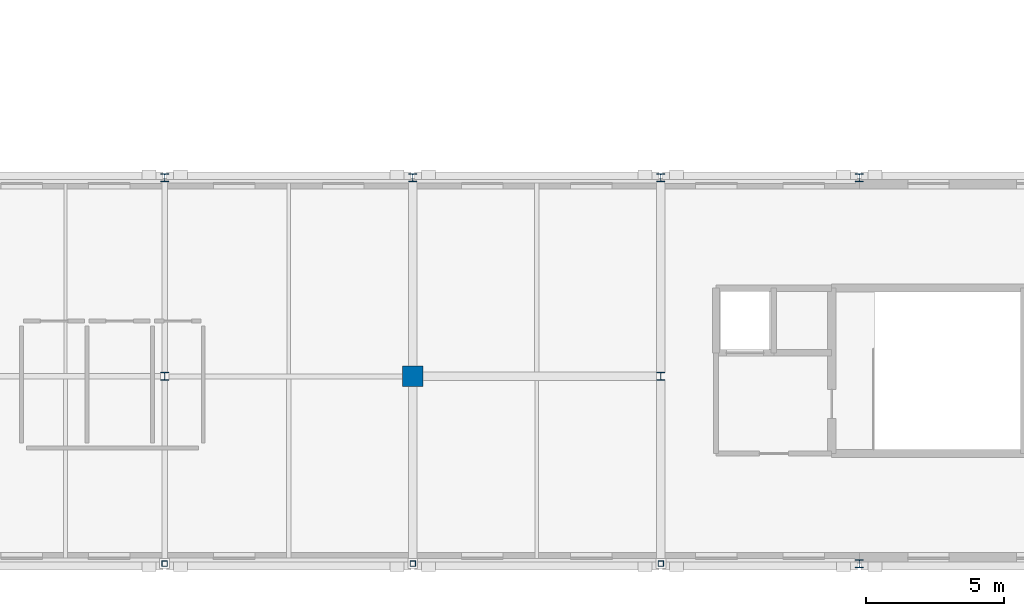
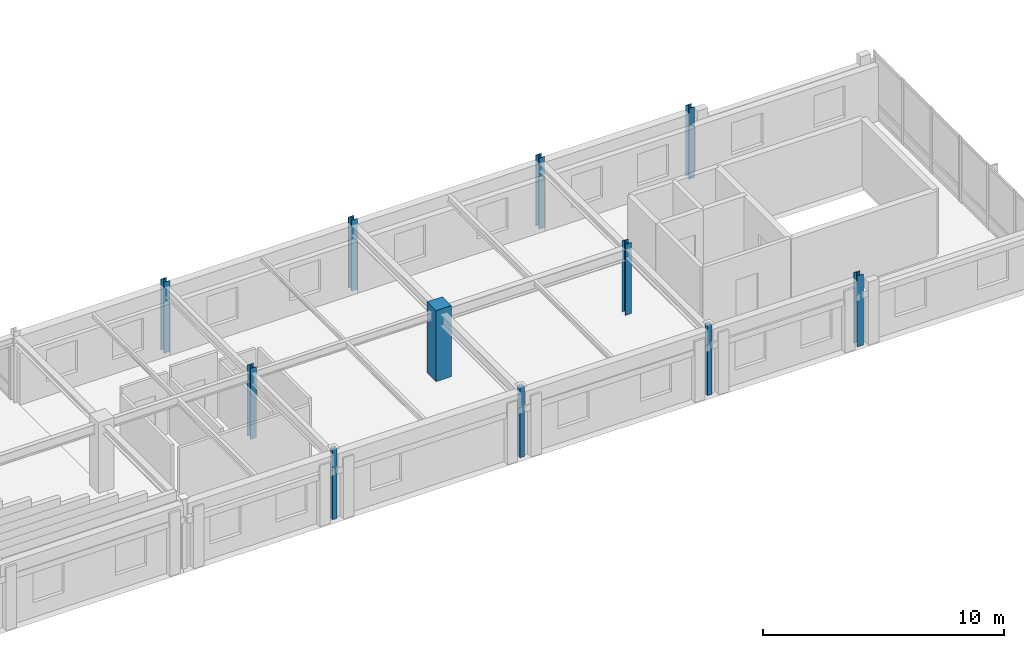
# One storey, part 3 of 74: 11 columns.
"""IFC4 building model written with IfcOpenShell, lengths in metres."""

from ifc_helpers import new_model, si_unit, direction, frame, origin, origin_2d, place, context, subcontext, project, spatial, rectangle, hollow_rectangle, i_section, extrude, material, material_profile, profile_set, type_object, element, save


model = new_model("IFC4")

# Units and contexts
model_context = context("Model", 3, precision=1e-05, world=origin(), true_north=direction((0.0, 1.0)))
body_context = subcontext(model_context, "Body", "Model", "MODEL_VIEW")
ifc_project = project(units=[si_unit("LENGTHUNIT", "METRE"), si_unit("AREAUNIT", "SQUARE_METRE"), si_unit("VOLUMEUNIT", "CUBIC_METRE"), si_unit("PLANEANGLEUNIT", "RADIAN"), si_unit("MASSUNIT", "GRAM", prefix="KILO")], contexts=[model_context])

# Site, building, storey
site_placement = place(None, origin())
site = spatial("IfcSite", under=ifc_project, at=site_placement, CompositionType="ELEMENT")
building_placement = place(site_placement, origin())
building = spatial("IfcBuilding", under=site, at=building_placement, Name="Clarverna Civic Hall", CompositionType="ELEMENT")
storey_placement = place(building_placement, frame((0.0, 0.0, 13.199951171875)))
storey = spatial("IfcBuildingStorey", under=building, at=storey_placement, Name="L03", CompositionType="ELEMENT", Elevation=13.199951171875)

# Columns
ifc_material_1 = material(Name="Concrete C40/50", Category="concrete")
ifc_material_profile_1 = material_profile(ifc_material_1, rectangle(XDim=0.75, YDim=0.75, at=origin_2d()), Name="RC 750x750")
ifc_profile_set_1 = profile_set([ifc_material_profile_1], Name="Concrete C40/50")
column_type_1 = type_object("IfcColumnType", Name="C-RC5", PredefinedType="COLUMN", material=ifc_profile_set_1)
column_placement = place(storey_placement, frame((41.39990234375, 6.800048828125, 0.0), z_axis=(0.0, 0.0, 1.0), x_axis=(1.0, 0.0, 0.0)))
element("IfcColumn", 1, at=column_placement, inside=storey, type_object=column_type_1, Name="C-RC5-026", PredefinedType="COLUMN", context=body_context, shape_type="SweptSolid", body=[
    extrude(rectangle(XDim=0.75, YDim=0.75, at=origin_2d()), origin(), (0.0, 0.0, 1.0), 3.60009765625),
])
ifc_material_2 = material(Name="Steel S355", Category="steel")
ifc_material_profile_2 = material_profile(ifc_material_2, hollow_rectangle(XDim=0.199951171875, YDim=0.199951171875, WallThickness=0.010009765625, at=origin_2d()), Name="RHS 200x200x10.0")
ifc_profile_set_2 = profile_set([ifc_material_profile_2], Name="Steel S355")
column_type_2 = type_object("IfcColumnType", Name="C-ST18", PredefinedType="COLUMN", material=ifc_profile_set_2)
for number, where, z_axis, x_axis, name in (
    (2, (32.39990234375, 0.0, 0.0), (0.0, 0.0, 1.0), (1.0, 0.0, 0.0), "C-ST18-007"),
    (3, (41.39990234375, 0.0, 0.0), (0.0, 0.0, 1.0), (1.0, 0.0, 0.0), "C-ST18-008"),
    (4, (50.39990234375, 0.0, 0.0), (0.0, 0.0, 1.0), (1.0, 0.0, 0.0), "C-ST18-009"),
):
    element("IfcColumn", number, at=place(storey_placement, frame(where, z_axis=z_axis, x_axis=x_axis)), inside=storey, type_object=column_type_2, Name=name, PredefinedType="COLUMN", context=body_context, shape_type="SweptSolid", body=[
        extrude(hollow_rectangle(XDim=0.199951171875, YDim=0.199951171875, WallThickness=0.010009765625, at=origin_2d()), origin(), (0.0, 0.0, 1.0), 3.60009765625),
    ])
ifc_material_profile_3 = material_profile(ifc_material_2, i_section(OverallWidth=0.300048828125, OverallDepth=0.300048828125, WebThickness=0.010986328125, FlangeThickness=0.01904296875, FilletRadius=0.027099609375, at=origin_2d()), Name="HEB 300")
ifc_profile_set_3 = profile_set([ifc_material_profile_3], Name="Steel S355")
column_type_3 = type_object("IfcColumnType", Name="C-ST7", PredefinedType="COLUMN", material=ifc_profile_set_3)
for number, where, z_axis, x_axis, name in (
    (5, (32.39990234375, 6.800048828125, 0.0), (0.0, 0.0, 1.0), (1.0, 0.0, 0.0), "C-ST7-006"),
    (6, (50.39990234375, 6.800048828125, 0.0), (0.0, 0.0, 1.0), (1.0, 0.0, 0.0), "C-ST7-007"),
    (7, (57.60009765625, 0.0, 0.0), (0.0, 0.0, 1.0), (1.0, 0.0, 0.0), "C-ST7-008"),
):
    element("IfcColumn", number, at=place(storey_placement, frame(where, z_axis=z_axis, x_axis=x_axis)), inside=storey, type_object=column_type_3, Name=name, PredefinedType="COLUMN", context=body_context, shape_type="SweptSolid", body=[
        extrude(i_section(OverallWidth=0.300048828125, OverallDepth=0.300048828125, WebThickness=0.010986328125, FlangeThickness=0.01904296875, FilletRadius=0.027099609375, at=origin_2d()), origin(), (0.0, 0.0, 1.0), 3.60009765625),
    ])
ifc_material_profile_4 = material_profile(ifc_material_2, i_section(OverallWidth=0.280029296875, OverallDepth=0.280029296875, WebThickness=0.010498046875, FlangeThickness=0.01806640625, FilletRadius=0.02392578125, at=origin_2d()), Name="HEB 280")
ifc_profile_set_4 = profile_set([ifc_material_profile_4], Name="Steel S355")
column_type_4 = type_object("IfcColumnType", Name="C-ST8", PredefinedType="COLUMN", material=ifc_profile_set_4)
for number, where, z_axis, x_axis, name in (
    (8, (32.39990234375, 14.0, 0.0), (0.0, 0.0, 1.0), (1.0, 0.0, 0.0), "C-ST8-005"),
    (9, (41.39990234375, 14.0, 0.0), (0.0, 0.0, 1.0), (1.0, 0.0, 0.0), "C-ST8-006"),
    (10, (50.39990234375, 14.0, 0.0), (0.0, 0.0, 1.0), (1.0, 0.0, 0.0), "C-ST8-007"),
    (11, (57.60009765625, 14.0, 0.0), (0.0, 0.0, 1.0), (1.0, 0.0, 0.0), "C-ST8-008"),
):
    element("IfcColumn", number, at=place(storey_placement, frame(where, z_axis=z_axis, x_axis=x_axis)), inside=storey, type_object=column_type_4, Name=name, PredefinedType="COLUMN", context=body_context, shape_type="SweptSolid", body=[
        extrude(i_section(OverallWidth=0.280029296875, OverallDepth=0.280029296875, WebThickness=0.010498046875, FlangeThickness=0.01806640625, FilletRadius=0.02392578125, at=origin_2d()), origin(), (0.0, 0.0, 1.0), 3.60009765625),
    ])

save(model, "model.ifc")
